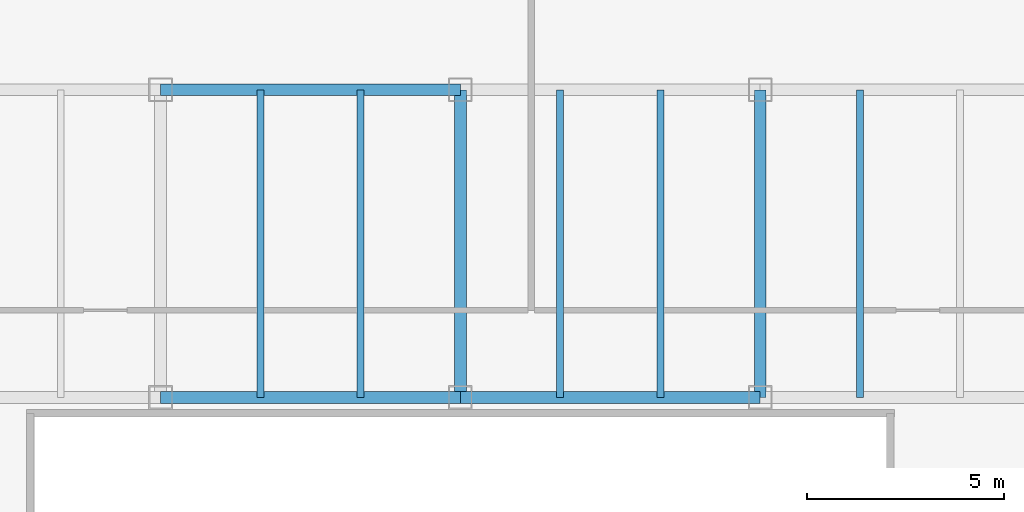
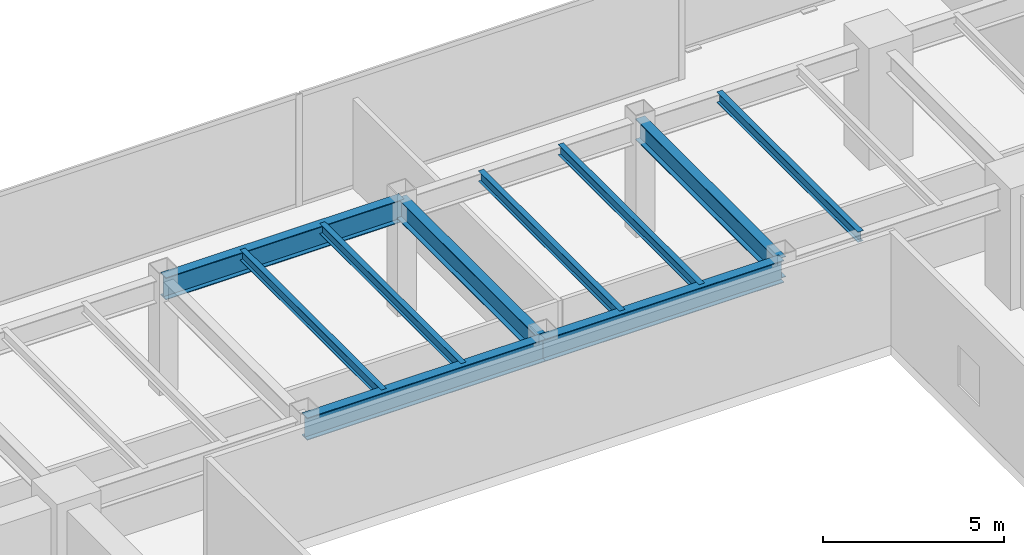
# One storey, part 17 of 36: 10 beams.
"""IFC4 building model written with IfcOpenShell, lengths in metres."""

from ifc_helpers import new_model, si_unit, direction, frame, origin, origin_2d, place, context, subcontext, project, spatial, i_section, extrude, source, transform, mapped, material, material_profile, profile_set, type_object, type_shapes, element, save


model = new_model("IFC4")

# Units and contexts
model_context = context("Model", 3, precision=1e-05, world=origin(), true_north=direction((0.0, 1.0)))
body_context = subcontext(model_context, "Body", "Model", "MODEL_VIEW")
ifc_project = project(units=[si_unit("LENGTHUNIT", "METRE"), si_unit("AREAUNIT", "SQUARE_METRE"), si_unit("VOLUMEUNIT", "CUBIC_METRE"), si_unit("PLANEANGLEUNIT", "RADIAN"), si_unit("MASSUNIT", "GRAM", prefix="KILO")], contexts=[model_context])

# Site, building, storey
site_placement = place(None, origin())
site = spatial("IfcSite", under=ifc_project, at=site_placement, CompositionType="ELEMENT")
building_placement = place(site_placement, origin())
building = spatial("IfcBuilding", under=site, at=building_placement, Name="Haelvirn Gate Laboratories", CompositionType="ELEMENT")
storey_placement = place(building_placement, frame((0.0, 0.0, 29.300048828125)))
storey = spatial("IfcBuildingStorey", under=building, at=storey_placement, Name="L07", CompositionType="ELEMENT", Elevation=29.300048828125)

# Beams
ifc_material = material(Name="Steel SM355", Category="steel")
ifc_material_profile_1 = material_profile(ifc_material, i_section(OverallWidth=0.300048828125, OverallDepth=0.699951171875, WebThickness=0.012939453125, FlangeThickness=0.02392578125, at=origin_2d()), Name="H-700x300x13x24")
ifc_profile_set_1 = profile_set([ifc_material_profile_1], Name="Steel SM355")
beam_type_1 = type_object("IfcBeamType", Name="BM-G-700", PredefinedType="BEAM", material=ifc_profile_set_1)
shared_shape_1 = source(origin(), body_context, "Body", "SweptSolid", [
    extrude(i_section(OverallWidth=0.300048828125, OverallDepth=0.699951171875, WebThickness=0.012939453125, FlangeThickness=0.02392578125, at=origin_2d()), origin(), (0.0, 0.0, 1.0), 7.800048828125),
])
type_shapes(beam_type_1, [shared_shape_1])
for number, where, z_axis, x_axis, name in (
    (1, (37.39990234375, 33.800048828125, 3.429931640625), (0.0, 1.0, 0.0), (-1.0, 0.0, 0.0), "L07 Frame Girder X37.4 (33.8-41.6)"),
    (2, (45.0, 33.800048828125, 3.429931640625), (0.0, 1.0, 0.0), (-1.0, 0.0, 0.0), "L07 Frame Girder X45.0 (33.8-41.6)"),
):
    element("IfcBeam", number, at=place(storey_placement, frame(where, z_axis=z_axis, x_axis=x_axis)), inside=storey, type_object=beam_type_1, Name=name, PredefinedType="BEAM", context=body_context, shape_type="MappedRepresentation", body=[
        mapped(shared_shape_1, transform((0.0, 0.0, 0.0), scale=1.0)),
    ])
ifc_material_profile_2 = material_profile(ifc_material, i_section(OverallWidth=0.300048828125, OverallDepth=0.75, WebThickness=0.013916015625, FlangeThickness=0.02392578125, at=origin_2d()), Name="H-750x300x14x24")
ifc_profile_set_2 = profile_set([ifc_material_profile_2], Name="Steel SM355")
beam_type_2 = type_object("IfcBeamType", Name="BM-G-750", PredefinedType="BEAM", material=ifc_profile_set_2)
shared_shape_2 = source(origin(), body_context, "Body", "SweptSolid", [
    extrude(i_section(OverallWidth=0.300048828125, OverallDepth=0.75, WebThickness=0.013916015625, FlangeThickness=0.02392578125, at=origin_2d()), origin(), (0.0, 0.0, 1.0), 7.60009765625),
])
beam_placement = place(storey_placement, frame((37.39990234375, 33.800048828125, 3.405029296875), z_axis=(1.0, 0.0, 0.0), x_axis=(0.0, 1.0, 0.0)))
element("IfcBeam", 3, at=beam_placement, inside=storey, type_object=beam_type_2, Name="L07 Primary Girder Y33.8 (37.4-45.0)", PredefinedType="BEAM", context=body_context, shape_type="MappedRepresentation", body=[
    mapped(shared_shape_2, transform((0.0, 0.0, 0.0), scale=1.0)),
])
shared_shape_3 = source(origin(), body_context, "Body", "SweptSolid", [
    extrude(i_section(OverallWidth=0.300048828125, OverallDepth=0.75, WebThickness=0.013916015625, FlangeThickness=0.02392578125, at=origin_2d()), origin(), (0.0, 0.0, 1.0), 7.599853515625),
])
type_shapes(beam_type_2, [shared_shape_2, shared_shape_3])
for number, where, z_axis, x_axis, name in (
    (4, (29.800048828125, 33.800048828125, 3.405029296875), (1.0, 0.0, 0.0), (0.0, 1.0, 0.0), "L07 Primary Girder Y33.8 (29.8-37.4)"),
    (5, (29.800048828125, 41.60009765625, 3.405029296875), (1.0, 0.0, 0.0), (0.0, 1.0, 0.0), "L07 Primary Girder Y41.6 (29.8-37.4)"),
):
    element("IfcBeam", number, at=place(storey_placement, frame(where, z_axis=z_axis, x_axis=x_axis)), inside=storey, type_object=beam_type_2, Name=name, PredefinedType="BEAM", context=body_context, shape_type="MappedRepresentation", body=[
        mapped(shared_shape_3, transform((0.0, 0.0, 0.0), scale=1.0)),
    ])
ifc_material_profile_3 = material_profile(ifc_material, i_section(OverallWidth=0.175048828125, OverallDepth=0.35009765625, WebThickness=0.007080078125, FlangeThickness=0.010986328125, at=origin_2d()), Name="H-350x175x7x11")
ifc_profile_set_3 = profile_set([ifc_material_profile_3], Name="Steel SM355")
beam_type_3 = type_object("IfcBeamType", Name="BM-J-350", PredefinedType="JOIST", material=ifc_profile_set_3)
shared_shape_4 = source(origin(), body_context, "Body", "SweptSolid", [
    extrude(i_section(OverallWidth=0.175048828125, OverallDepth=0.35009765625, WebThickness=0.007080078125, FlangeThickness=0.010986328125, at=origin_2d()), origin(), (0.0, 0.0, 1.0), 7.800048828125),
])
type_shapes(beam_type_3, [shared_shape_4])
for number, where, z_axis, x_axis, name in (
    (6, (32.330078125, 33.800048828125, 3.60498046875), (0.0, 1.0, 0.0), (-1.0, 0.0, 0.0), "L07 Composite Lab Joist North X32.33"),
    (7, (34.8701171875, 33.800048828125, 3.60498046875), (0.0, 1.0, 0.0), (-1.0, 0.0, 0.0), "L07 Composite Lab Joist North X34.87"),
    (8, (39.929931640625, 33.800048828125, 3.60498046875), (0.0, 1.0, 0.0), (-1.0, 0.0, 0.0), "L07 Composite Lab Joist North X39.93"),
    (9, (42.469970703125, 33.800048828125, 3.60498046875), (0.0, 1.0, 0.0), (-1.0, 0.0, 0.0), "L07 Composite Lab Joist North X42.47"),
    (10, (47.530029296875, 33.800048828125, 3.60498046875), (0.0, 1.0, 0.0), (-1.0, 0.0, 0.0), "L07 Composite Lab Joist North X47.53"),
):
    element("IfcBeam", number, at=place(storey_placement, frame(where, z_axis=z_axis, x_axis=x_axis)), inside=storey, type_object=beam_type_3, Name=name, PredefinedType="JOIST", context=body_context, shape_type="MappedRepresentation", body=[
        mapped(shared_shape_4, transform((0.0, 0.0, 0.0), scale=1.0)),
    ])

save(model, "model.ifc")
